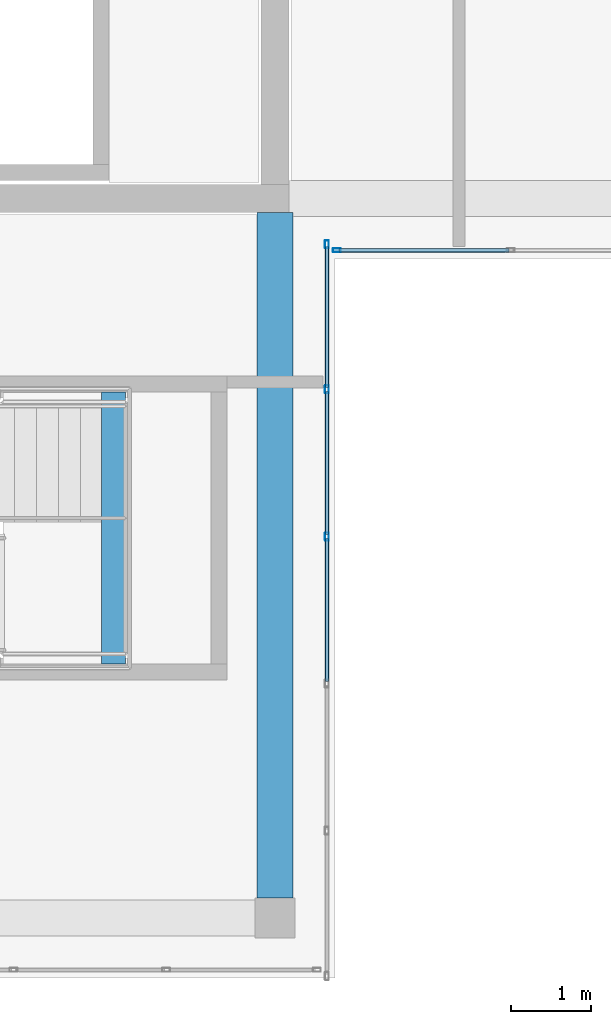
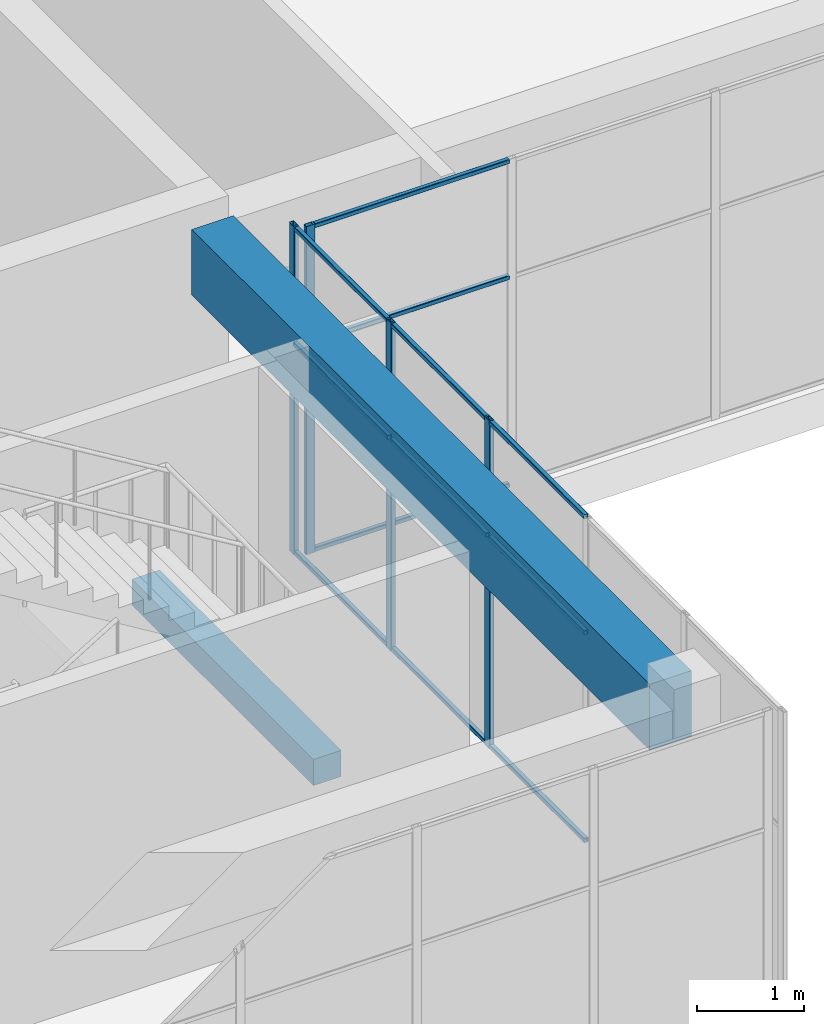
# One storey, part 9 of 34: 16 members, 2 beams, 2 elements without a shape of their own.
"""IFC4 building model written with IfcOpenShell, lengths in metres."""

from ifc_helpers import new_model, si_unit, direction, frame, origin, origin_2d, place, context, subcontext, project, spatial, rectangle, hollow_rectangle, extrude, material, layer, layer_set, material_profile, profile_set, type_object, element, aggregate, save


model = new_model("IFC4")

# Units and contexts
model_context = context("Model", 3, precision=1e-05, world=origin(), true_north=direction((0.0, 1.0)))
body_context = subcontext(model_context, "Body", "Model", "MODEL_VIEW")
ifc_project = project(units=[si_unit("LENGTHUNIT", "METRE"), si_unit("AREAUNIT", "SQUARE_METRE"), si_unit("VOLUMEUNIT", "CUBIC_METRE"), si_unit("PLANEANGLEUNIT", "RADIAN"), si_unit("MASSUNIT", "GRAM", prefix="KILO")], contexts=[model_context])

# Site, building, storey
site_placement = place(None, origin())
site = spatial("IfcSite", under=ifc_project, at=site_placement, CompositionType="ELEMENT")
building_placement = place(site_placement, origin())
building = spatial("IfcBuilding", under=site, at=building_placement, Name="Tuart Plaza Theatre", CompositionType="ELEMENT")
storey_placement = place(building_placement, frame((0.0, 0.0, 53.5)))
storey = spatial("IfcBuildingStorey", under=building, at=storey_placement, Name="L13", CompositionType="ELEMENT", Elevation=53.5)

# Beams
ifc_material_1 = material(Name="Concrete N40 (40 MPa)", Category="concrete")
ifc_material_profile_1 = material_profile(ifc_material_1, rectangle(XDim=0.300048828125, YDim=0.300048828125, at=origin_2d()), Name="BEAM 300x300 Concrete N40 (40 MPa)")
ifc_profile_set_1 = profile_set([ifc_material_profile_1], Name="Concrete N40 (40 MPa)")
beam_type_1 = type_object("IfcBeamType", Name="BEAM 300x300 Concrete N40 (40 MPa)", PredefinedType="BEAM", material=ifc_profile_set_1)
beam_1_placement = place(storey_placement, frame((138.97998046875, 59.175048828125, 1.64990234375), z_axis=(0.0, 1.0, 0.0), x_axis=(-1.0, 0.0, 0.0)))
element("IfcBeam", 1, at=beam_1_placement, inside=storey, type_object=beam_type_1, Name="RB509", PredefinedType="BEAM", context=body_context, shape_type="SweptSolid", body=[
    extrude(rectangle(XDim=0.300048828125, YDim=0.300048828125, at=origin_2d()), origin(), (0.0, 0.0, 1.0), 3.39990234375),
])
ifc_material_2 = material(Name="Concrete N40 (40 MPa)", Category="concrete")
ifc_material_profile_2 = material_profile(ifc_material_2, rectangle(XDim=0.449951171875, YDim=0.75, at=origin_2d()), Name="BEAM 450x750 Concrete N40 (40 MPa)")
ifc_profile_set_2 = profile_set([ifc_material_profile_2], Name="Concrete N40 (40 MPa)")
beam_type_2 = type_object("IfcBeamType", Name="BEAM 450x750 Concrete N40 (40 MPa)", PredefinedType="BEAM", material=ifc_profile_set_2)
beam_2_placement = place(storey_placement, frame((141.0, 56.25, 3.375), z_axis=(0.0, 1.0, 0.0), x_axis=(-1.0, 0.0, 0.0)))
element("IfcBeam", 2, at=beam_2_placement, inside=storey, type_object=beam_type_2, Name="RB339", PredefinedType="BEAM", context=body_context, shape_type="SweptSolid", body=[
    extrude(rectangle(XDim=0.449951171875, YDim=0.75, at=origin_2d()), origin(), (0.0, 0.0, 1.0), 8.574951171875),
])

# Curtain wall, members
ifc_material_3 = material(Name="Aluminium and glass", Category="aluminium")
ifc_layer = layer(ifc_material_3, 0.10009765625)
ifc_layer_set = layer_set([ifc_layer], Name="CURTAIN WALL 2000 module")
curtain_wall_type = type_object("IfcCurtainWallType", Name="CURTAIN WALL 2000 module", PredefinedType="NOTDEFINED", material=ifc_layer_set)
curtain_wall_1_placement = place(storey_placement, origin())
curtain_wall_1 = element("IfcCurtainWall", 3, at=curtain_wall_1_placement, inside=storey, type_object=curtain_wall_type, Name="CW112", PredefinedType="NOTDEFINED")
ifc_material_4 = material(Name="Aluminium 6063-T5", Category="aluminium")
ifc_material_profile_3 = material_profile(ifc_material_4, hollow_rectangle(XDim=0.050048828125, YDim=0.10009765625, WallThickness=0.00390625, InnerFilletRadius=0.00390625, OuterFilletRadius=0.008056640625, at=origin_2d()), Name="RHS 100x50x4")
ifc_profile_set_3 = profile_set([ifc_material_profile_3], Name="Aluminium 6063-T5")
member_type_1 = type_object("IfcMemberType", Name="MULLION RHS 100x50x4", PredefinedType="MULLION", material=ifc_profile_set_3)
member_1_placement = place(storey_placement, frame((141.64990234375, 60.77001953125, 0.0), z_axis=(0.0, 0.0, 1.0), x_axis=(-1.0, 0.0, 0.0)))
member_1 = element("IfcMember", 4, at=member_1_placement, type_object=member_type_1, Name="CW112 mullion 4", PredefinedType="MULLION", context=body_context, shape_type="SweptSolid", body=[
    extrude(hollow_rectangle(XDim=0.050048828125, YDim=0.10009765625, WallThickness=0.00390625, InnerFilletRadius=0.00390625, OuterFilletRadius=0.008056640625, at=origin_2d()), origin(), (0.0, 0.0, 1.0), 3.75),
])
member_2_placement = place(storey_placement, frame((141.64990234375, 62.610107421875, 0.0), z_axis=(0.0, 0.0, 1.0), x_axis=(-1.0, 0.0, 0.0)))
member_2 = element("IfcMember", 5, at=member_2_placement, type_object=member_type_1, Name="CW112 mullion 5", PredefinedType="MULLION", context=body_context, shape_type="SweptSolid", body=[
    extrude(hollow_rectangle(XDim=0.050048828125, YDim=0.10009765625, WallThickness=0.00390625, InnerFilletRadius=0.00390625, OuterFilletRadius=0.008056640625, at=origin_2d()), origin(), (0.0, 0.0, 1.0), 3.75),
])
member_3_placement = place(storey_placement, frame((141.64990234375, 64.425048828125, 0.0), z_axis=(0.0, 0.0, 1.0), x_axis=(-1.0, 0.0, 0.0)))
member_3 = element("IfcMember", 6, at=member_3_placement, type_object=member_type_1, Name="CW112 mullion 6", PredefinedType="MULLION", context=body_context, shape_type="SweptSolid", body=[
    extrude(hollow_rectangle(XDim=0.050048828125, YDim=0.10009765625, WallThickness=0.00390625, InnerFilletRadius=0.00390625, OuterFilletRadius=0.008056640625, at=origin_2d()), origin(), (0.0, 0.0, 1.0), 3.75),
])

# Curtain wall, member
curtain_wall_2_placement = place(storey_placement, origin())
curtain_wall_2 = element("IfcCurtainWall", 7, at=curtain_wall_2_placement, inside=storey, type_object=curtain_wall_type, Name="CW113", PredefinedType="NOTDEFINED")
member_4_placement = place(storey_placement, frame((141.77490234375, 64.35009765625, 0.0), z_axis=(0.0, 0.0, 1.0), x_axis=(0.0, 1.0, 0.0)))
member_4 = element("IfcMember", 8, at=member_4_placement, type_object=member_type_1, Name="CW113 mullion 1", PredefinedType="MULLION", context=body_context, shape_type="SweptSolid", body=[
    extrude(hollow_rectangle(XDim=0.050048828125, YDim=0.10009765625, WallThickness=0.00390625, InnerFilletRadius=0.00390625, OuterFilletRadius=0.008056640625, at=origin_2d()), origin(), (0.0, 0.0, 1.0), 3.75),
])

# Member
ifc_material_5 = material(Name="Aluminium 6063-T5", Category="aluminium")
ifc_material_profile_4 = material_profile(ifc_material_5, hollow_rectangle(XDim=0.050048828125, YDim=0.050048828125, WallThickness=0.00390625, InnerFilletRadius=0.00390625, OuterFilletRadius=0.008056640625, at=origin_2d()), Name="RHS 50x50x4")
ifc_profile_set_4 = profile_set([ifc_material_profile_4], Name="Aluminium 6063-T5")
member_type_2 = type_object("IfcMemberType", Name="TRANSOM RHS 50x50x4", PredefinedType="USERDEFINED", material=ifc_profile_set_4)
member_5_placement = place(storey_placement, frame((141.64990234375, 58.955078125, 0.02490234375), z_axis=(0.0, 1.0, 0.0), x_axis=(-1.0, 0.0, 0.0)))
member_5 = element("IfcMember", 9, at=member_5_placement, type_object=member_type_2, Name="CW112 transom 3.1", ObjectType="TRANSOM", PredefinedType="USERDEFINED", context=body_context, shape_type="SweptSolid", body=[
    extrude(hollow_rectangle(XDim=0.050048828125, YDim=0.050048828125, WallThickness=0.00390625, InnerFilletRadius=0.00390625, OuterFilletRadius=0.008056640625, at=origin_2d()), origin(), (0.0, 0.0, 1.0), 1.7900390625),
])

member_6_placement = place(storey_placement, frame((141.64990234375, 58.955078125, 2.39990234375), z_axis=(0.0, 1.0, 0.0), x_axis=(-1.0, 0.0, 0.0)))
member_6 = element("IfcMember", 10, at=member_6_placement, type_object=member_type_2, Name="CW112 transom 3.2", ObjectType="TRANSOM", PredefinedType="USERDEFINED", context=body_context, shape_type="SweptSolid", body=[
    extrude(hollow_rectangle(XDim=0.050048828125, YDim=0.050048828125, WallThickness=0.00390625, InnerFilletRadius=0.00390625, OuterFilletRadius=0.008056640625, at=origin_2d()), origin(), (0.0, 0.0, 1.0), 1.7900390625),
])

member_7_placement = place(storey_placement, frame((141.64990234375, 58.955078125, 3.72509765625), z_axis=(0.0, 1.0, 0.0), x_axis=(-1.0, 0.0, 0.0)))
member_7 = element("IfcMember", 11, at=member_7_placement, type_object=member_type_2, Name="CW112 transom 3.3", ObjectType="TRANSOM", PredefinedType="USERDEFINED", context=body_context, shape_type="SweptSolid", body=[
    extrude(hollow_rectangle(XDim=0.050048828125, YDim=0.050048828125, WallThickness=0.00390625, InnerFilletRadius=0.00390625, OuterFilletRadius=0.008056640625, at=origin_2d()), origin(), (0.0, 0.0, 1.0), 1.7900390625),
])

member_8_placement = place(storey_placement, frame((141.64990234375, 60.794921875, 0.02490234375), z_axis=(0.0, 1.0, 0.0), x_axis=(-1.0, 0.0, 0.0)))
member_8 = element("IfcMember", 12, at=member_8_placement, type_object=member_type_2, Name="CW112 transom 4.1", ObjectType="TRANSOM", PredefinedType="USERDEFINED", context=body_context, shape_type="SweptSolid", body=[
    extrude(hollow_rectangle(XDim=0.050048828125, YDim=0.050048828125, WallThickness=0.00390625, InnerFilletRadius=0.00390625, OuterFilletRadius=0.008056640625, at=origin_2d()), origin(), (0.0, 0.0, 1.0), 1.7900390625),
])

member_9_placement = place(storey_placement, frame((141.64990234375, 60.794921875, 2.39990234375), z_axis=(0.0, 1.0, 0.0), x_axis=(-1.0, 0.0, 0.0)))
member_9 = element("IfcMember", 13, at=member_9_placement, type_object=member_type_2, Name="CW112 transom 4.2", ObjectType="TRANSOM", PredefinedType="USERDEFINED", context=body_context, shape_type="SweptSolid", body=[
    extrude(hollow_rectangle(XDim=0.050048828125, YDim=0.050048828125, WallThickness=0.00390625, InnerFilletRadius=0.00390625, OuterFilletRadius=0.008056640625, at=origin_2d()), origin(), (0.0, 0.0, 1.0), 1.7900390625),
])

member_10_placement = place(storey_placement, frame((141.64990234375, 60.794921875, 3.72509765625), z_axis=(0.0, 1.0, 0.0), x_axis=(-1.0, 0.0, 0.0)))
member_10 = element("IfcMember", 14, at=member_10_placement, type_object=member_type_2, Name="CW112 transom 4.3", ObjectType="TRANSOM", PredefinedType="USERDEFINED", context=body_context, shape_type="SweptSolid", body=[
    extrude(hollow_rectangle(XDim=0.050048828125, YDim=0.050048828125, WallThickness=0.00390625, InnerFilletRadius=0.00390625, OuterFilletRadius=0.008056640625, at=origin_2d()), origin(), (0.0, 0.0, 1.0), 1.7900390625),
])

member_11_placement = place(storey_placement, frame((141.64990234375, 62.635009765625, 0.02490234375), z_axis=(0.0, 1.0, 0.0), x_axis=(-1.0, 0.0, 0.0)))
member_11 = element("IfcMember", 15, at=member_11_placement, type_object=member_type_2, Name="CW112 transom 5.1", ObjectType="TRANSOM", PredefinedType="USERDEFINED", context=body_context, shape_type="SweptSolid", body=[
    extrude(hollow_rectangle(XDim=0.050048828125, YDim=0.050048828125, WallThickness=0.00390625, InnerFilletRadius=0.00390625, OuterFilletRadius=0.008056640625, at=origin_2d()), origin(), (0.0, 0.0, 1.0), 1.764892578125),
])

member_12_placement = place(storey_placement, frame((141.64990234375, 62.635009765625, 2.39990234375), z_axis=(0.0, 1.0, 0.0), x_axis=(-1.0, 0.0, 0.0)))
member_12 = element("IfcMember", 16, at=member_12_placement, type_object=member_type_2, Name="CW112 transom 5.2", ObjectType="TRANSOM", PredefinedType="USERDEFINED", context=body_context, shape_type="SweptSolid", body=[
    extrude(hollow_rectangle(XDim=0.050048828125, YDim=0.050048828125, WallThickness=0.00390625, InnerFilletRadius=0.00390625, OuterFilletRadius=0.008056640625, at=origin_2d()), origin(), (0.0, 0.0, 1.0), 1.764892578125),
])

member_13_placement = place(storey_placement, frame((141.64990234375, 62.635009765625, 3.72509765625), z_axis=(0.0, 1.0, 0.0), x_axis=(-1.0, 0.0, 0.0)))
member_13 = element("IfcMember", 17, at=member_13_placement, type_object=member_type_2, Name="CW112 transom 5.3", ObjectType="TRANSOM", PredefinedType="USERDEFINED", context=body_context, shape_type="SweptSolid", body=[
    extrude(hollow_rectangle(XDim=0.050048828125, YDim=0.050048828125, WallThickness=0.00390625, InnerFilletRadius=0.00390625, OuterFilletRadius=0.008056640625, at=origin_2d()), origin(), (0.0, 0.0, 1.0), 1.764892578125),
])

aggregate(curtain_wall_1, [member_1, member_2, member_3, member_5, member_6, member_7, member_8, member_9, member_10, member_11, member_12, member_13])

member_14_placement = place(storey_placement, frame((141.800048828125, 64.35009765625, 0.02490234375), z_axis=(1.0, 0.0, 0.0), x_axis=(0.0, 1.0, 0.0)))
member_14 = element("IfcMember", 18, at=member_14_placement, type_object=member_type_2, Name="CW113 transom 1.1", ObjectType="TRANSOM", PredefinedType="USERDEFINED", context=body_context, shape_type="SweptSolid", body=[
    extrude(hollow_rectangle(XDim=0.050048828125, YDim=0.050048828125, WallThickness=0.00390625, InnerFilletRadius=0.00390625, OuterFilletRadius=0.008056640625, at=origin_2d()), origin(), (0.0, 0.0, 1.0), 2.125),
])

member_15_placement = place(storey_placement, frame((141.800048828125, 64.35009765625, 2.39990234375), z_axis=(1.0, 0.0, 0.0), x_axis=(0.0, 1.0, 0.0)))
member_15 = element("IfcMember", 19, at=member_15_placement, type_object=member_type_2, Name="CW113 transom 1.2", ObjectType="TRANSOM", PredefinedType="USERDEFINED", context=body_context, shape_type="SweptSolid", body=[
    extrude(hollow_rectangle(XDim=0.050048828125, YDim=0.050048828125, WallThickness=0.00390625, InnerFilletRadius=0.00390625, OuterFilletRadius=0.008056640625, at=origin_2d()), origin(), (0.0, 0.0, 1.0), 2.125),
])

member_16_placement = place(storey_placement, frame((141.800048828125, 64.35009765625, 3.72509765625), z_axis=(1.0, 0.0, 0.0), x_axis=(0.0, 1.0, 0.0)))
member_16 = element("IfcMember", 20, at=member_16_placement, type_object=member_type_2, Name="CW113 transom 1.3", ObjectType="TRANSOM", PredefinedType="USERDEFINED", context=body_context, shape_type="SweptSolid", body=[
    extrude(hollow_rectangle(XDim=0.050048828125, YDim=0.050048828125, WallThickness=0.00390625, InnerFilletRadius=0.00390625, OuterFilletRadius=0.008056640625, at=origin_2d()), origin(), (0.0, 0.0, 1.0), 2.125),
])

aggregate(curtain_wall_2, [member_4, member_14, member_15, member_16])

save(model, "model.ifc")
